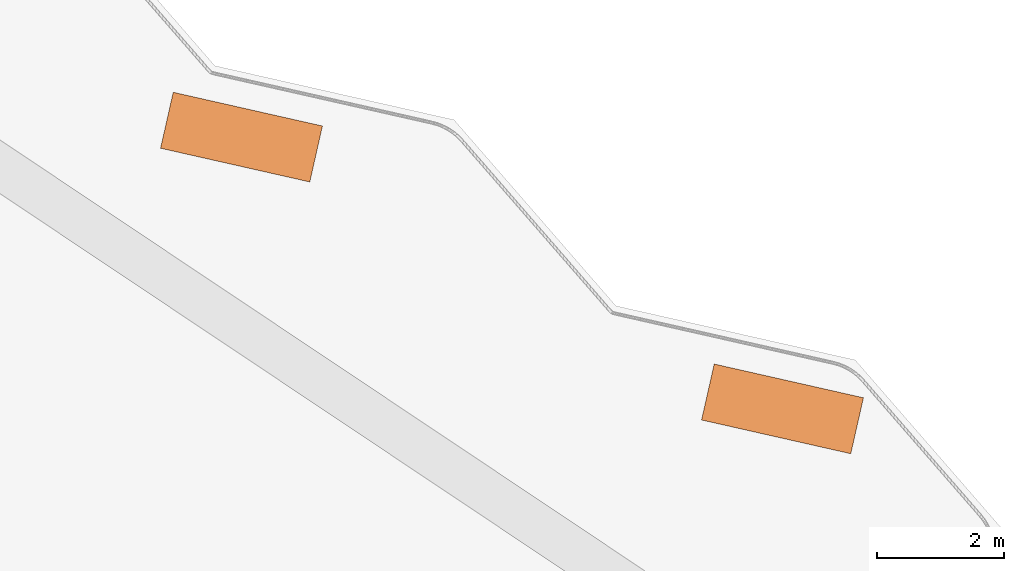
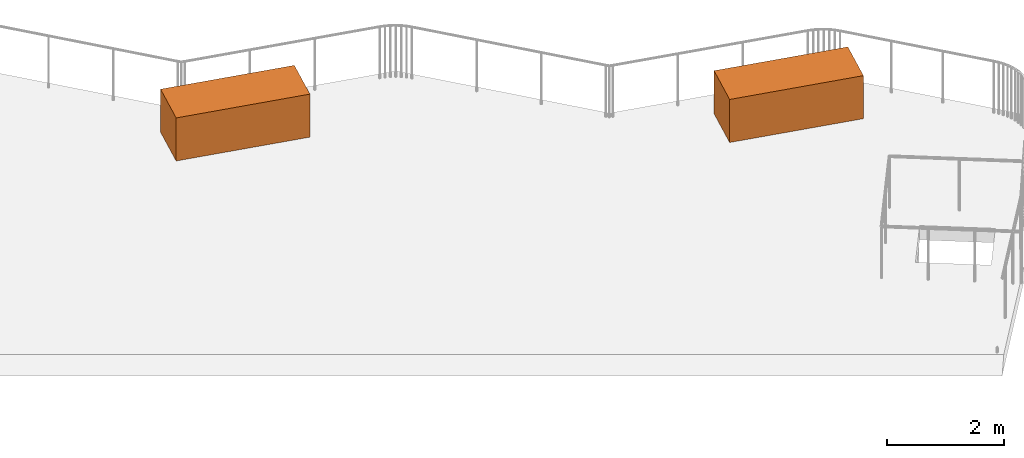
# One storey, part 30 of 30: 2 proxies.
"""IFC4 building model written with IfcOpenShell, lengths in metres."""

from ifc_helpers import new_model, si_unit, direction, frame, origin, origin_2d, place, context, subcontext, project, spatial, rectangle, extrude, material, type_object, element, save


model = new_model("IFC4")

# Units and contexts
model_context = context("Model", 3, precision=1e-05, world=origin(), true_north=direction((0.0, 1.0)))
body_context = subcontext(model_context, "Body", "Model", "MODEL_VIEW")
ifc_project = project(units=[si_unit("LENGTHUNIT", "METRE"), si_unit("AREAUNIT", "SQUARE_METRE"), si_unit("VOLUMEUNIT", "CUBIC_METRE"), si_unit("PLANEANGLEUNIT", "RADIAN"), si_unit("MASSUNIT", "GRAM", prefix="KILO")], contexts=[model_context])

# Site, building, storey
site_placement = place(None, origin())
site = spatial("IfcSite", under=ifc_project, at=site_placement, CompositionType="ELEMENT")
building_placement = place(site_placement, origin())
building = spatial("IfcBuilding", under=site, at=building_placement, Name="Qamariyya Broadcast Tower", CompositionType="ELEMENT")
storey_placement = place(building_placement, frame((0.0, 0.0, 203.699951171875)))
storey = spatial("IfcBuildingStorey", under=building, at=storey_placement, Name="L48", CompositionType="ELEMENT", Elevation=203.699951171875)

# Proxies
ifc_material = material(Name="Glazed terracotta", Category="masonry")
building_element_proxy_type = type_object("IfcBuildingElementProxyType", Name="Terracotta planter with saturated soil", PredefinedType="USERDEFINED", material=ifc_material)
for number, where, z_axis, x_axis, name in (
    (1, (55.616455078125, -34.164306640625, 0.0), (0.0, 0.0, 1.0), (0.975392586113, -0.220475175371, 0.0), "e-pl-L48-t3-00"),
    (2, (64.103515625, -38.427490234375, 0.0), (0.0, 0.0, 1.0), (0.975374800735, -0.220553843971, 0.0), "e-pl-L48-t3-01"),
):
    element("IfcBuildingElementProxy", number, at=place(storey_placement, frame(where, z_axis=z_axis, x_axis=x_axis)), inside=storey, type_object=building_element_proxy_type, Name=name, ObjectType="PLANTER", PredefinedType="USERDEFINED", context=body_context, shape_type="SweptSolid", body=[
        extrude(rectangle(XDim=2.39990234375, YDim=0.89990234375, at=origin_2d()), origin(), (0.0, 0.0, 1.0), 0.89990234375),
    ])

save(model, "model.ifc")
